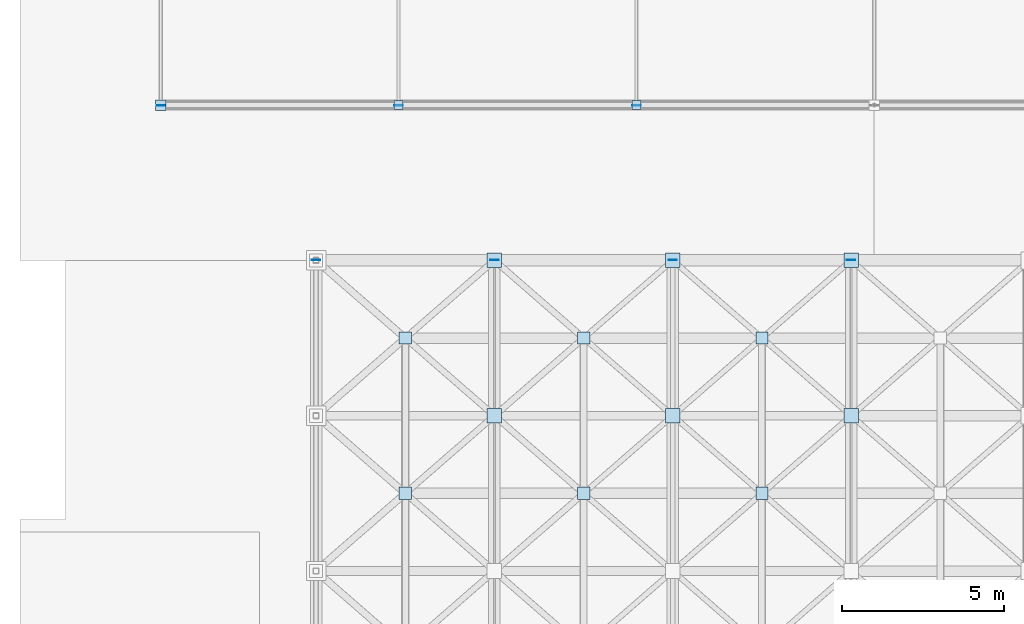
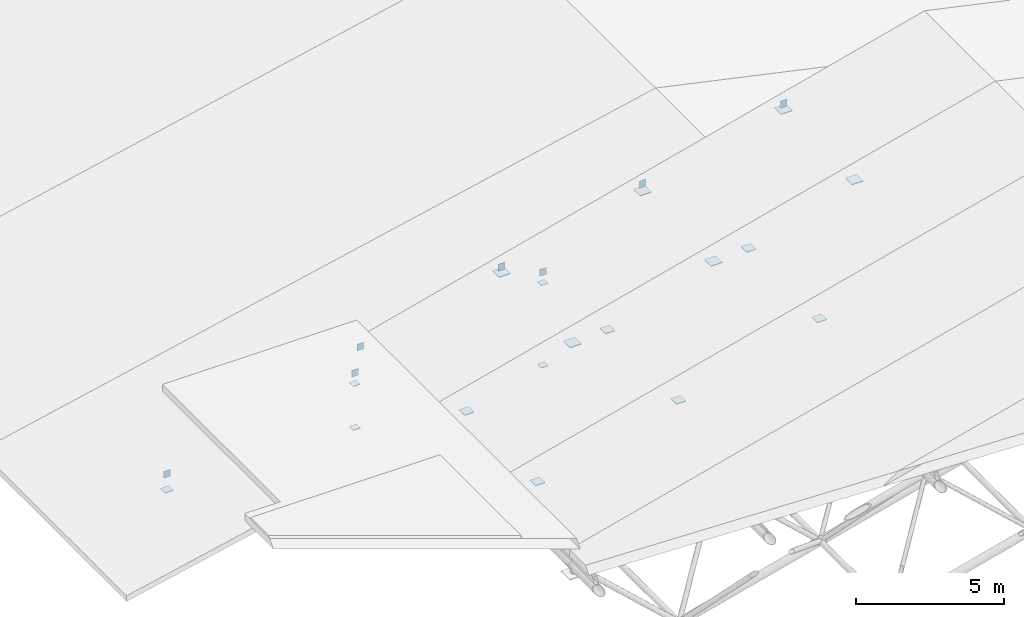
# One storey, part 48 of 60: 24 plates.
"""IFC4 building model written with IfcOpenShell, lengths in metres."""

import ifcopenshell
import ifcopenshell.guid

model = None  # the IFC model being written
_history = None  # IfcOwnerHistory: only IFC2X3 demands one
_inside = {}  # id of a spatial element -> (the spatial element, [elements in it])
_under = {}  # id of a project, library or spatial element -> (it, [spatial elements below it])
_declared = {}  # id of a project -> (the project, [libraries it declares])
_typed = {}  # id of a type object -> (the type object, [elements of that type])
_made_of = {}  # id of a material, layer set ... -> (it, [elements and type objects made of it])


def new_model(schema):
    """Start an empty IFC model of exactly this schema.

    Asked for "IFC4X3", IfcOpenShell would pick the latest addendum, in which some entities
    have other attributes; the version numbers below select the first issue.
    IFC2X3 requires an IfcOwnerHistory on every rooted entity: one is made here for all.
    """
    global model, _history
    if schema == "IFC4X3":
        model = ifcopenshell.file(schema_version=(4, 3, 0, 0))
    else:
        model = ifcopenshell.file(schema=schema)
    _inside.clear()
    _under.clear()
    _declared.clear()
    _typed.clear()
    _made_of.clear()
    _history = None
    if model.schema == "IFC2X3":
        org = make("IfcOrganization", Name="unknown")
        user = make(
            "IfcPersonAndOrganization",
            ThePerson=make("IfcPerson", FamilyName="unknown"),
            TheOrganization=org,
        )
        app = make(
            "IfcApplication",
            ApplicationDeveloper=org,
            Version="unknown",
            ApplicationFullName="unknown",
            ApplicationIdentifier="unknown",
        )
        _history = make(
            "IfcOwnerHistory",
            OwningUser=user,
            OwningApplication=app,
            ChangeAction="ADDED",
            CreationDate=0,
        )
    return model


def make(cls, **values):
    """One entity of the class cls with the attributes given. An attribute that is None is left unset."""
    return model.create_entity(
        cls, **{name: value for name, value in values.items() if value is not None}
    )


def rooted(cls, **values):
    """An entity with a GlobalId (a new one), such as an element, a storey or a relation."""
    return make(cls, GlobalId=ifcopenshell.guid.new(), OwnerHistory=_history, **values)


def si_unit(unit_type, name, prefix=None):
    """IfcSIUnit, for example si_unit("LENGTHUNIT", "METRE", prefix="MILLI")."""
    return make("IfcSIUnit", UnitType=unit_type, Prefix=prefix, Name=name)


def assignment(units):
    """IfcUnitAssignment: the units of a project."""
    return None if units is None else make("IfcUnitAssignment", Units=units)


def point(xyz):
    """IfcCartesianPoint."""
    return None if xyz is None else make("IfcCartesianPoint", Coordinates=xyz)


def direction(xyz):
    """IfcDirection."""
    return None if xyz is None else make("IfcDirection", DirectionRatios=xyz)


def frame(location, z_axis=None, x_axis=None):
    """IfcAxis2Placement3D, a coordinate frame: its origin and axes. An axis left out is left unset."""
    return make(
        "IfcAxis2Placement3D",
        Location=point(location),
        Axis=direction(z_axis),
        RefDirection=direction(x_axis),
    )


def frame_2d(location, x_axis=None):
    """IfcAxis2Placement2D, a coordinate frame in the plane: its origin and x axis."""
    return make(
        "IfcAxis2Placement2D", Location=point(location), RefDirection=direction(x_axis)
    )


def origin():
    """The frame at (0, 0, 0) with its axes left unset."""
    return frame((0.0, 0.0, 0.0))


def origin_2d():
    """The frame at (0, 0) in the plane with its x axis left unset."""
    return frame_2d((0.0, 0.0))


def place(relative_to, where):
    """IfcLocalPlacement: puts the frame where relative to a parent placement (None: the world)."""
    return make(
        "IfcLocalPlacement", PlacementRelTo=relative_to, RelativePlacement=where
    )


def context(
    kind, dimensions, precision=None, world=None, true_north=None, identifier=None
):
    """IfcGeometricRepresentationContext, for example the 3D "Model" context."""
    return make(
        "IfcGeometricRepresentationContext",
        ContextIdentifier=identifier,
        ContextType=kind,
        CoordinateSpaceDimension=dimensions,
        Precision=precision,
        WorldCoordinateSystem=world,
        TrueNorth=true_north,
    )


def subcontext(parent, identifier, kind, view, scale=None):
    """IfcGeometricRepresentationSubContext, for example "Body" below "Model"."""
    return make(
        "IfcGeometricRepresentationSubContext",
        ContextIdentifier=identifier,
        ContextType=kind,
        ParentContext=parent,
        TargetScale=scale,
        TargetView=view,
    )


def project(units=None, contexts=None):
    """IfcProject with its units and contexts."""
    return rooted(
        "IfcProject",
        Name="project",
        RepresentationContexts=contexts,
        UnitsInContext=assignment(units),
    )


def spatial(cls, under=None, at=None, **own):
    """A site, building, storey or space (cls), placed at a placement, below another one or the project."""
    s = rooted(cls, ObjectPlacement=at, **own)
    if under is not None:
        _under.setdefault(under.id(), (under, []))[1].append(s)
    return s


def profile(cls, at=None, kind="AREA", **sizes):
    """A parametric profile (cls). Its sizes go by their IFC names, for example OverallWidth=200.0."""
    return make(cls, ProfileType=kind, Position=at, **sizes)


def rectangle(**sizes):
    """IfcRectangleProfileDef."""
    return profile("IfcRectangleProfileDef", **sizes)


def extrude(swept, where, along, depth):
    """IfcExtrudedAreaSolid: the profile swept, set in the frame where, extruded along a direction by depth."""
    return make(
        "IfcExtrudedAreaSolid",
        SweptArea=swept,
        Position=where,
        ExtrudedDirection=direction(along),
        Depth=depth,
    )


def shape(context_of_items, identifier, shape_type, items):
    """IfcShapeRepresentation: the items that make up one representation, for example the "Body"."""
    return make(
        "IfcShapeRepresentation",
        ContextOfItems=context_of_items,
        RepresentationIdentifier=identifier,
        RepresentationType=shape_type,
        Items=items,
    )


def material(Name=None, Category=None):
    """IfcMaterial."""
    return make("IfcMaterial", Name=Name, Category=Category)


def made_of(thing, what):
    """Note that an element or type object is made of a material, layer set ...; save() writes the relation."""
    if what is not None:
        _made_of.setdefault(what.id(), (what, []))[1].append(thing)
    return thing


def type_object(cls, material=None, **own):
    """A type object (cls), such as IfcWallType, which elements share."""
    return made_of(rooted(cls, **own), material)


def element(
    cls,
    number,
    at=None,
    inside=None,
    cuts=None,
    type_object=None,
    material=None,
    context=None,
    identifier="Body",
    shape_type=None,
    held_by="IfcProductDefinitionShape",
    body=None,
    shapes=None,
    **own,
):
    """One element of the class cls, such as IfcWall. Its Tag is "e" and its number.

    at: its placement. inside: the storey or other place that contains it. cuts: it is an
    opening in that element (IfcRelVoidsElement). A single representation is given by context,
    identifier, shape_type and body (its items); several are given by shapes. held_by: the class
    of the entity that holds the representations. save() writes the other relations.
    """
    e = rooted(cls, Tag="e%d" % number, ObjectPlacement=at, **own)
    if body is not None:
        shapes = [shape(context, identifier, shape_type, body)]
    if shapes is not None:
        e.Representation = make(held_by, Representations=shapes)
    if inside is not None:
        _inside.setdefault(inside.id(), (inside, []))[1].append(e)
    if cuts is not None:
        rooted(
            "IfcRelVoidsElement", RelatingBuildingElement=cuts, RelatedOpeningElement=e
        )
    if type_object is not None:
        _typed.setdefault(type_object.id(), (type_object, []))[1].append(e)
    return made_of(e, material)


def aggregate(whole, parts):
    """IfcRelAggregates: a whole, such as a stair, and the parts it consists of."""
    return rooted("IfcRelAggregates", RelatingObject=whole, RelatedObjects=parts)


def save(model, path):
    """Write the relations noted so far, then the file.

    IfcRelAggregates (storeys below a building ...), IfcRelContainedInSpatialStructure (elements
    in a storey), IfcRelDefinesByType, IfcRelAssociatesMaterial and IfcRelDeclares: one each for
    every whole, place, type object, material and project.
    """
    for whole, parts in _under.values():
        aggregate(whole, parts)
    for where, things in _inside.values():
        rooted(
            "IfcRelContainedInSpatialStructure",
            RelatedElements=things,
            RelatingStructure=where,
        )
    for kind, things in _typed.values():
        rooted("IfcRelDefinesByType", RelatedObjects=things, RelatingType=kind)
    for what, things in _made_of.values():
        rooted("IfcRelAssociatesMaterial", RelatedObjects=things, RelatingMaterial=what)
    for by, libraries in _declared.values():
        rooted("IfcRelDeclares", RelatingContext=by, RelatedDefinitions=libraries)
    model.write(path)


model = new_model("IFC4")

# Units and contexts
model_context = context("Model", 3, precision=1e-05, world=origin(), true_north=direction((0.0, 1.0)))
body_context = subcontext(model_context, "Body", "Model", "MODEL_VIEW")
ifc_project = project(units=[si_unit("LENGTHUNIT", "METRE"), si_unit("AREAUNIT", "SQUARE_METRE"), si_unit("VOLUMEUNIT", "CUBIC_METRE"), si_unit("PLANEANGLEUNIT", "RADIAN"), si_unit("MASSUNIT", "GRAM", prefix="KILO")], contexts=[model_context])

# Site, building, storey
site_placement = place(None, origin())
site = spatial("IfcSite", under=ifc_project, at=site_placement, CompositionType="ELEMENT")
building_placement = place(site_placement, origin())
building = spatial("IfcBuilding", under=site, at=building_placement, Name="Nakhvara Creek Congress Hotel", CompositionType="ELEMENT")
storey_placement = place(building_placement, frame((0.0, 0.0, 54.60009765625)))
storey = spatial("IfcBuildingStorey", under=building, at=storey_placement, Name="RL1", CompositionType="ELEMENT", Elevation=54.60009765625)

# Plates
ifc_material = material(Name="Steel S355J2", Category="steel")
plate_type_1 = type_object("IfcPlateType", Name="PLT-CAP-260X280X20", PredefinedType="USERDEFINED", material=ifc_material)
for number, where, z_axis, x_axis, name in (
    (1, (9.14990234375, 86.409912109375, -34.89306640625), (0.0, 0.0, 1.0), (1.0, 0.0, 0.0), "Congress Purlin End-Cap Plate SN08-01N"),
    (2, (14.66259765625, 86.409912109375, -33.51806640625), (0.0, 0.0, 1.0), (1.0, 0.0, 0.0), "Congress Purlin End-Cap Plate SN08-02N"),
    (3, (20.175048828125, 86.409912109375, -32.01318359375), (0.0, 0.0, 1.0), (1.0, 0.0, 0.0), "Congress Purlin End-Cap Plate SN08-03N"),
    (4, (25.6875, 86.409912109375, -30.63818359375), (0.0, 0.0, 1.0), (1.0, 0.0, 0.0), "Congress Purlin End-Cap Plate SN08-04N"),
    (5, (4.35009765625, 91.18994140625, -41.3740234375), (0.0, 0.0, 1.0), (1.0, 0.0, 0.0), "Ballroom Purlin End-Cap Plate SN08-1S"),
    (6, (11.699951171875, 91.18994140625, -39.77392578125), (0.0, 0.0, 1.0), (1.0, 0.0, 0.0), "Ballroom Purlin End-Cap Plate SN08-2S"),
    (7, (19.050048828125, 91.18994140625, -38.173828125), (0.0, 0.0, 1.0), (1.0, 0.0, 0.0), "Ballroom Purlin End-Cap Plate SN08-3S"),
):
    element("IfcPlate", number, at=place(storey_placement, frame(where, z_axis=z_axis, x_axis=x_axis)), inside=storey, type_object=plate_type_1, Name=name, ObjectType="GUSSET_PLATE", PredefinedType="USERDEFINED", context=body_context, shape_type="SweptSolid", body=[
        extrude(rectangle(XDim=0.260009765625, YDim=0.02001953125, at=origin_2d()), origin(), (0.0, 0.0, 1.0), 0.280029296875),
    ])
plate_type_2 = type_object("IfcPlateType", Name="PLT-NODE-280X280X18", PredefinedType="USERDEFINED", material=ifc_material)
for number, where, z_axis, x_axis, name in (
    (8, (11.699951171875, 91.199951171875, -41.899169921875), (0.0, 0.0, 1.0), (1.0, 0.0, 0.0), "Ballroom Truss Node Gusset Plate SN-002"),
    (9, (11.699951171875, 91.199951171875, -40.089111328125), (0.0, 0.0, 1.0), (1.0, 0.0, 0.0), "Ballroom Truss Rafter Gusset Plate SN-003"),
    (10, (19.050048828125, 91.199951171875, -41.899169921875), (0.0, 0.0, 1.0), (1.0, 0.0, 0.0), "Ballroom Truss Node Gusset Plate SN-004"),
    (11, (19.050048828125, 91.199951171875, -38.489013671875), (0.0, 0.0, 1.0), (1.0, 0.0, 0.0), "Ballroom Truss Rafter Gusset Plate SN-005"),
):
    element("IfcPlate", number, at=place(storey_placement, frame(where, z_axis=z_axis, x_axis=x_axis)), inside=storey, type_object=plate_type_2, Name=name, ObjectType="GUSSET_PLATE", PredefinedType="USERDEFINED", context=body_context, shape_type="SweptSolid", body=[
        extrude(rectangle(XDim=0.280029296875, YDim=0.280029296875, at=origin_2d()), origin(), (0.0, 0.0, 1.0), 0.01806640625),
    ])
plate_type_3 = type_object("IfcPlateType", Name="PLT-NODE-320X320X20", PredefinedType="USERDEFINED", material=ifc_material)
plate_placement = place(storey_placement, frame((4.35009765625, 91.199951171875, -41.900146484375), z_axis=(0.0, 0.0, 1.0), x_axis=(1.0, 0.0, 0.0)))
element("IfcPlate", 12, at=plate_placement, inside=storey, type_object=plate_type_3, Name="Ballroom Truss Node Gusset Plate SN-001", ObjectType="GUSSET_PLATE", PredefinedType="USERDEFINED", context=body_context, shape_type="SweptSolid", body=[
    extrude(rectangle(XDim=0.320068359375, YDim=0.320068359375, at=origin_2d()), origin(), (0.0, 0.0, 1.0), 0.02001953125),
])
plate_type_4 = type_object("IfcPlateType", Name="PLT-NODE-380X380X24", PredefinedType="USERDEFINED", material=ifc_material)
for number, where, z_axis, x_axis, name in (
    (13, (11.90625, 79.199951171875, -36.942138671875), (0.0, 0.0, 1.0), (1.0, 0.0, 0.0), "Congress Roof Truss Bottom Node Plate SN-181"),
    (14, (17.418701171875, 79.199951171875, -35.501953125), (0.0, 0.0, 1.0), (1.0, 0.0, 0.0), "Congress Roof Truss Bottom Node Plate SN-182"),
    (15, (22.93115234375, 79.199951171875, -34.06201171875), (0.0, 0.0, 1.0), (1.0, 0.0, 0.0), "Congress Roof Truss Bottom Node Plate SN-183"),
    (16, (11.90625, 84.0, -36.942138671875), (0.0, 0.0, 1.0), (1.0, 0.0, 0.0), "Congress Roof Truss Bottom Node Plate SN-189"),
    (17, (17.418701171875, 84.0, -35.501953125), (0.0, 0.0, 1.0), (1.0, 0.0, 0.0), "Congress Roof Truss Bottom Node Plate SN-190"),
    (18, (22.93115234375, 84.0, -34.06201171875), (0.0, 0.0, 1.0), (1.0, 0.0, 0.0), "Congress Roof Truss Bottom Node Plate SN-191"),
):
    element("IfcPlate", number, at=place(storey_placement, frame(where, z_axis=z_axis, x_axis=x_axis)), inside=storey, type_object=plate_type_4, Name=name, ObjectType="GUSSET_PLATE", PredefinedType="USERDEFINED", context=body_context, shape_type="SweptSolid", body=[
        extrude(rectangle(XDim=0.3798828125, YDim=0.3798828125, at=origin_2d()), origin(), (0.0, 0.0, 1.0), 0.02392578125),
    ])
plate_type_5 = type_object("IfcPlateType", Name="PLT-NODE-450X450X28", PredefinedType="USERDEFINED", material=ifc_material)
for number, where, z_axis, x_axis, name in (
    (19, (14.66259765625, 81.60009765625, -33.6240234375), (0.0, 0.0, 1.0), (1.0, 0.0, 0.0), "Congress Roof Truss Node Plate SN-092"),
    (20, (20.175048828125, 81.60009765625, -32.18408203125), (0.0, 0.0, 1.0), (1.0, 0.0, 0.0), "Congress Roof Truss Node Plate SN-093"),
    (21, (25.6875, 81.60009765625, -30.744140625), (0.0, 0.0, 1.0), (1.0, 0.0, 0.0), "Congress Roof Truss Node Plate SN-094"),
    (22, (14.66259765625, 86.39990234375, -33.6240234375), (0.0, 0.0, 1.0), (1.0, 0.0, 0.0), "Congress Roof Truss Node Plate SN-101"),
    (23, (20.175048828125, 86.39990234375, -32.18408203125), (0.0, 0.0, 1.0), (1.0, 0.0, 0.0), "Congress Roof Truss Node Plate SN-102"),
    (24, (25.6875, 86.39990234375, -30.744140625), (0.0, 0.0, 1.0), (1.0, 0.0, 0.0), "Congress Roof Truss Node Plate SN-103"),
):
    element("IfcPlate", number, at=place(storey_placement, frame(where, z_axis=z_axis, x_axis=x_axis)), inside=storey, type_object=plate_type_5, Name=name, ObjectType="GUSSET_PLATE", PredefinedType="USERDEFINED", context=body_context, shape_type="SweptSolid", body=[
        extrude(rectangle(XDim=0.449951171875, YDim=0.449951171875, at=origin_2d()), origin(), (0.0, 0.0, 1.0), 0.028076171875),
    ])

save(model, "model.ifc")
